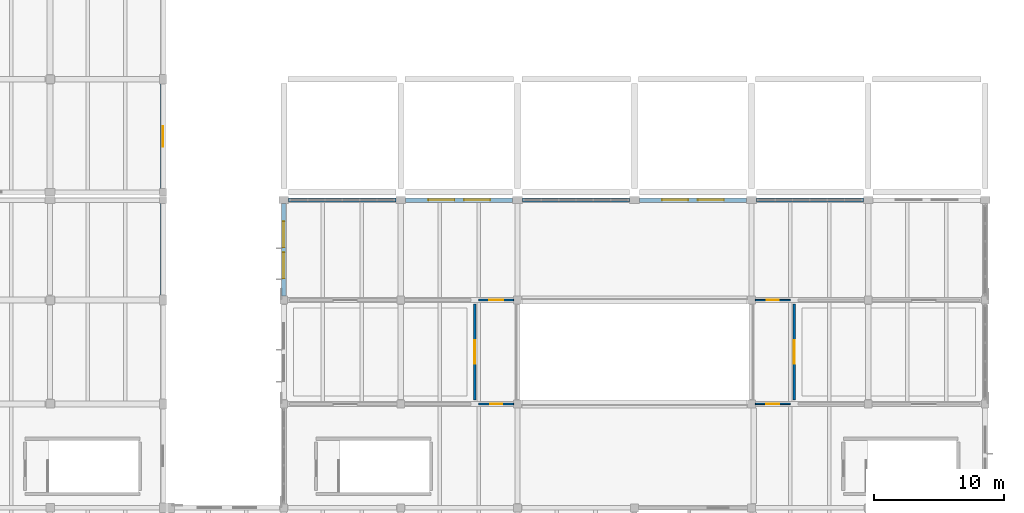
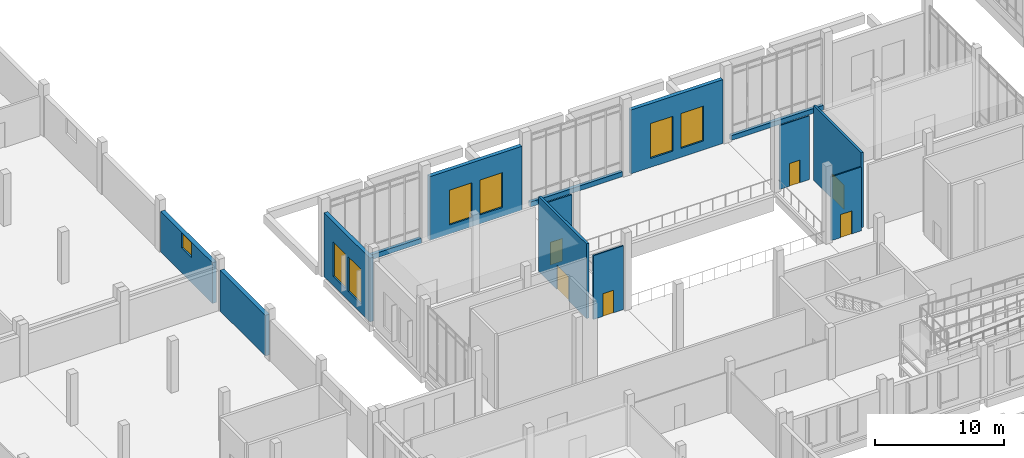
# One storey, part 79 of 110: 14 walls, 7 windows, 6 doors, 13 openings.
"""IFC4 building model written with IfcOpenShell, lengths in metres."""

from ifc_helpers import new_model, si_unit, direction, frame, frame_2d, origin, place, context, subcontext, project, spatial, rectangle, extrude, material, layer, layer_set, type_object, element, fill, save


model = new_model("IFC4")

# Units and contexts
model_context = context("Model", 3, precision=1e-05, world=origin(), true_north=direction((0.0, 1.0)))
body_context = subcontext(model_context, "Body", "Model", "MODEL_VIEW")
ifc_project = project(units=[si_unit("LENGTHUNIT", "METRE"), si_unit("AREAUNIT", "SQUARE_METRE"), si_unit("VOLUMEUNIT", "CUBIC_METRE"), si_unit("PLANEANGLEUNIT", "RADIAN"), si_unit("MASSUNIT", "GRAM", prefix="KILO")], contexts=[model_context])

# Site, building, storey
site_placement = place(None, origin())
site = spatial("IfcSite", under=ifc_project, at=site_placement, CompositionType="ELEMENT")
building_placement = place(site_placement, origin())
building = spatial("IfcBuilding", under=site, at=building_placement, Name="Zacnel Wholesale Market", CompositionType="ELEMENT")
storey_placement = place(building_placement, frame((0.0, 0.0, 6.300048828125)))
storey = spatial("IfcBuildingStorey", under=building, at=storey_placement, Name="L02", CompositionType="ELEMENT", Elevation=6.300048828125)

# Wall, opening, door
ifc_material_1 = material(Name="PIR insulated cold-store panel")
ifc_layer_1 = layer(ifc_material_1, 0.195068359375)
ifc_layer_set_1 = layer_set([ifc_layer_1], Name="PIR insulated cold-store panel")
wall_type_1 = type_object("IfcWallType", Name="WL-COLD-INT195", PredefinedType="STANDARD", material=ifc_layer_set_1)
wall_1_placement = place(storey_placement, frame((120.300048828125, 32.300048828125, 0.0), z_axis=(0.0, 0.0, 1.0), x_axis=(0.0, 1.0, 0.0)))
wall_1 = element("IfcWall", 1, at=wall_1_placement, inside=storey, type_object=wall_type_1, Name="Interior partition L02-0102", PredefinedType="STANDARD", context=body_context, shape_type="SweptSolid", body=[
    extrude(rectangle(XDim=7.39990234375, YDim=0.195068359375, at=frame_2d((3.699951171875, 0.0))), origin(), (0.0, 0.0, 1.0), 7.08984375),
])
opening_1_placement = place(wall_1_placement, frame((2.800048828125, 0.0, 0.0)))
opening_1 = element("IfcOpeningElement", 2, at=opening_1_placement, cuts=wall_1, Name="Opening FD-03", PredefinedType="OPENING", context=body_context, shape_type="SweptSolid", body=[
    extrude(rectangle(XDim=1.800048828125, YDim=2.300048828125, at=frame_2d((0.89990234375, 1.14990234375))), frame((0.0, 0.107421875, 0.0), z_axis=(0.0, -1.0, 0.0), x_axis=(1.0, 0.0, 0.0)), (0.0, 0.0, 1.0), 0.215087890625),
])
ifc_material_2 = material(Name="Galvanized steel", Category="steel")
door_type_1 = type_object("IfcDoorType", Name="DR-FIRE-COMP-1800", OperationType="NOTDEFINED", PredefinedType="DOOR", material=ifc_material_2)
door_1_placement = place(opening_1_placement, origin())
door_1 = element("IfcDoor", 3, at=door_1_placement, inside=storey, type_object=door_type_1, Name="Interior door L02-0082", OperationType="SINGLE_SWING_RIGHT", OverallHeight=2.300048828125, OverallWidth=1.800048828125, PredefinedType="DOOR", context=body_context, shape_type="SweptSolid", body=[
    extrude(rectangle(XDim=1.800048828125, YDim=2.300048828125, at=frame_2d((0.89990234375, 1.14990234375))), frame((0.0, 0.02490234375, 0.0), z_axis=(0.0, -1.0, 0.0), x_axis=(1.0, 0.0, 0.0)), (0.0, 0.0, 1.0), 0.050048828125),
])
fill(opening_1, door_1)

ifc_material_3 = material(Name="PIR insulated cold-store panel")
ifc_layer_2 = layer(ifc_material_3, 0.2099609375)
ifc_layer_set_2 = layer_set([ifc_layer_2], Name="PIR insulated cold-store panel")
wall_type_2 = type_object("IfcWallType", Name="WL-COLD-INT210", PredefinedType="STANDARD", material=ifc_layer_set_2)
wall_2_placement = place(storey_placement, frame((95.699951171875, 32.300048828125, 0.0), z_axis=(0.0, 0.0, 1.0), x_axis=(0.0, 1.0, 0.0)))
wall_2 = element("IfcWall", 4, at=wall_2_placement, inside=storey, type_object=wall_type_2, Name="Interior partition L02-0101", PredefinedType="STANDARD", context=body_context, shape_type="SweptSolid", body=[
    extrude(rectangle(XDim=7.39990234375, YDim=0.2099609375, at=frame_2d((3.699951171875, 0.0))), origin(), (0.0, 0.0, 1.0), 7.08984375),
])
opening_2_placement = place(wall_2_placement, frame((2.800048828125, 0.0, 0.0)))
opening_2 = element("IfcOpeningElement", 5, at=opening_2_placement, cuts=wall_2, Name="Opening FD-03", PredefinedType="OPENING", context=body_context, shape_type="SweptSolid", body=[
    extrude(rectangle(XDim=1.800048828125, YDim=2.300048828125, at=frame_2d((0.89990234375, 1.14990234375))), frame((0.0, 0.114990234375, 0.0), z_axis=(0.0, -1.0, 0.0), x_axis=(1.0, 0.0, 0.0)), (0.0, 0.0, 1.0), 0.22998046875),
])
door_2_placement = place(opening_2_placement, origin())
door_2 = element("IfcDoor", 6, at=door_2_placement, inside=storey, type_object=door_type_1, Name="Interior door L02-0081", OperationType="SINGLE_SWING_LEFT", OverallHeight=2.300048828125, OverallWidth=1.800048828125, PredefinedType="DOOR", context=body_context, shape_type="SweptSolid", body=[
    extrude(rectangle(XDim=1.800048828125, YDim=2.300048828125, at=frame_2d((0.89990234375, 1.14990234375))), frame((0.0, 0.02490234375, 0.0), z_axis=(0.0, -1.0, 0.0), x_axis=(1.0, 0.0, 0.0)), (0.0, 0.0, 1.0), 0.050048828125),
])
fill(opening_2, door_2)

# Wall
ifc_material_4 = material(Name="Precast concrete C40/50 (insulated sandwich panel)", Category="concrete")
ifc_layer_3 = layer(ifc_material_4, 0.3798828125)
ifc_layer_set_3 = layer_set([ifc_layer_3], Name="Precast concrete C40/50 (insulated sandwich panel)")
wall_type_3 = type_object("IfcWallType", Name="WL-EXT-COLD-380", PredefinedType="SOLIDWALL", material=ifc_layer_set_3)
wall_3_placement = place(storey_placement, frame((71.699951171875, 40.375, 0.0), z_axis=(0.0, 0.0, 1.0), x_axis=(0.0, 1.0, 0.0)))
element("IfcWall", 7, at=wall_3_placement, inside=storey, type_object=wall_type_3, Name="Exterior wall L02-0191", PredefinedType="SOLIDWALL", context=body_context, shape_type="SweptSolid", body=[
    extrude(rectangle(XDim=7.050048828125, YDim=0.3798828125, at=frame_2d((3.52490234375, 0.0))), origin(), (0.0, 0.0, 1.0), 3.849853515625),
])

# Wall, opening, window
wall_4_placement = place(storey_placement, frame((71.699951171875, 48.574951171875, 0.0), z_axis=(0.0, 0.0, 1.0), x_axis=(0.0, 1.0, 0.0)))
wall_4 = element("IfcWall", 8, at=wall_4_placement, inside=storey, type_object=wall_type_3, Name="Exterior wall L02-0209", PredefinedType="SOLIDWALL", context=body_context, shape_type="SweptSolid", body=[
    extrude(rectangle(XDim=8.050048828125, YDim=0.3798828125, at=frame_2d((4.02490234375, 0.0))), origin(), (0.0, 0.0, 1.0), 3.849853515625),
])
opening_3_placement = place(wall_4_placement, frame((3.22509765625, 0.0, 2.360107421875)))
opening_3 = element("IfcOpeningElement", 9, at=opening_3_placement, cuts=wall_4, Name="Opening W-06", PredefinedType="OPENING", context=body_context, shape_type="SweptSolid", body=[
    extrude(rectangle(XDim=1.60009765625, YDim=1.449951171875, at=frame_2d((0.800048828125, 0.72509765625))), frame((0.0, 0.199951171875, 0.0), z_axis=(0.0, -1.0, 0.0), x_axis=(1.0, 0.0, 0.0)), (0.0, 0.0, 1.0), 0.39990234375),
])
ifc_material_5 = material(Name="Laminated hurricane-impact low-E insulated glass", Category="glass")
window_type_1 = type_object("IfcWindowType", Name="WIN-HIG-1600X1450", PartitioningType="DOUBLE_PANEL_HORIZONTAL", PredefinedType="WINDOW", material=ifc_material_5)
window_1_placement = place(opening_3_placement, origin())
window_1 = element("IfcWindow", 10, at=window_1_placement, inside=storey, type_object=window_type_1, Name="Window L02-0198", OverallHeight=1.449951171875, OverallWidth=1.60009765625, PartitioningType="DOUBLE_PANEL_HORIZONTAL", PredefinedType="WINDOW", context=body_context, shape_type="SweptSolid", body=[
    extrude(rectangle(XDim=1.60009765625, YDim=1.449951171875, at=frame_2d((0.800048828125, 0.72509765625))), frame((0.0, 0.030029296875, 0.0), z_axis=(0.0, -1.0, 0.0), x_axis=(1.0, 0.0, 0.0)), (0.0, 0.0, 1.0), 0.06005859375),
])
fill(opening_3, window_1)

# Walls
ifc_material_6 = material(Name="Precast concrete C40/50 (Cancun limestone aggregate)", Category="masonry")
ifc_layer_4 = layer(ifc_material_6, 0.300048828125)
ifc_layer_set_4 = layer_set([ifc_layer_4], Name="Precast concrete C40/50 (Cancun limestone aggregate)")
wall_type_4 = type_object("IfcWallType", Name="WL-EXT-LIME-300", PredefinedType="SOLIDWALL", material=ifc_layer_set_4)
for number, where, z_axis, x_axis, name in (
    (11, (81.375, 47.699951171875, 0.0), (0.0, 0.0, 1.0), (1.0, 0.0, 0.0), "Curtain-wall limestone plinth L02-0010"),
    (12, (99.375, 47.699951171875, 0.0), (0.0, 0.0, 1.0), (1.0, 0.0, 0.0), "Curtain-wall limestone plinth L02-0011"),
    (13, (117.375, 47.699951171875, 0.0), (0.0, 0.0, 1.0), (1.0, 0.0, 0.0), "Curtain-wall limestone plinth L02-0012"),
):
    element("IfcWall", number, at=place(storey_placement, frame(where, z_axis=z_axis, x_axis=x_axis)), inside=storey, type_object=wall_type_4, Name=name, PredefinedType="SOLIDWALL", context=body_context, shape_type="SweptSolid", body=[
        extrude(rectangle(XDim=8.25, YDim=0.300048828125, at=frame_2d((4.125, 0.0))), origin(), (0.0, 0.0, 1.0), 0.449951171875),
    ])

# Wall, openings, windows
ifc_material_7 = material(Name="Precast concrete C40/50 (Cancun limestone aggregate)", Category="masonry")
ifc_layer_5 = layer(ifc_material_7, 0.340087890625)
ifc_layer_set_5 = layer_set([ifc_layer_5], Name="Precast concrete C40/50 (Cancun limestone aggregate)")
wall_type_5 = type_object("IfcWallType", Name="WL-EXT-LIME-340", PredefinedType="SOLIDWALL", material=ifc_layer_set_5)
wall_5_placement = place(storey_placement, frame((90.375, 47.699951171875, 0.0), z_axis=(0.0, 0.0, 1.0), x_axis=(1.0, 0.0, 0.0)))
wall_5 = element("IfcWall", 14, at=wall_5_placement, inside=storey, type_object=wall_type_5, Name="Exterior wall L02-0253", PredefinedType="SOLIDWALL", context=body_context, shape_type="SweptSolid", body=[
    extrude(rectangle(XDim=8.25, YDim=0.340087890625, at=frame_2d((4.125, 0.0))), origin(), (0.0, 0.0, 1.0), 6.0400390625),
])
opening_4_placement = place(wall_5_placement, frame((1.75, 0.0, 0.85009765625)))
opening_4 = element("IfcOpeningElement", 15, at=opening_4_placement, cuts=wall_5, Name="Opening W-02", PredefinedType="OPENING", context=body_context, shape_type="SweptSolid", body=[
    extrude(rectangle(XDim=2.0, YDim=3.300048828125, at=frame_2d((1.0, 1.64990234375))), frame((0.0, 0.179931640625, 0.0), z_axis=(0.0, -1.0, 0.0), x_axis=(1.0, 0.0, 0.0)), (0.0, 0.0, 1.0), 0.360107421875),
])
opening_5_placement = place(wall_5_placement, frame((4.5, 0.0, 0.85009765625)))
opening_5 = element("IfcOpeningElement", 16, at=opening_5_placement, cuts=wall_5, Name="Opening W-02", PredefinedType="OPENING", context=body_context, shape_type="SweptSolid", body=[
    extrude(rectangle(XDim=2.0, YDim=3.300048828125, at=frame_2d((1.0, 1.64990234375))), frame((0.0, 0.179931640625, 0.0), z_axis=(0.0, -1.0, 0.0), x_axis=(1.0, 0.0, 0.0)), (0.0, 0.0, 1.0), 0.360107421875),
])
ifc_material_8 = material(Name="Laminated hurricane-impact low-E insulated glass", Category="glass")
window_type_2 = type_object("IfcWindowType", Name="WIN-DEC-2000X3300", PartitioningType="DOUBLE_PANEL_VERTICAL", PredefinedType="WINDOW", material=ifc_material_8)
window_2_placement = place(opening_4_placement, origin())
window_2 = element("IfcWindow", 17, at=window_2_placement, inside=storey, type_object=window_type_2, Name="Window L02-0241", OverallHeight=3.300048828125, OverallWidth=2.0, PartitioningType="DOUBLE_PANEL_VERTICAL", PredefinedType="WINDOW", context=body_context, shape_type="SweptSolid", body=[
    extrude(rectangle(XDim=2.0, YDim=3.300048828125, at=frame_2d((1.0, 1.64990234375))), frame((0.0, 0.030029296875, 0.0), z_axis=(0.0, -1.0, 0.0), x_axis=(1.0, 0.0, 0.0)), (0.0, 0.0, 1.0), 0.06005859375),
])
fill(opening_4, window_2)
window_3_placement = place(opening_5_placement, origin())
window_3 = element("IfcWindow", 18, at=window_3_placement, inside=storey, type_object=window_type_2, Name="Window L02-0242", OverallHeight=3.300048828125, OverallWidth=2.0, PartitioningType="DOUBLE_PANEL_VERTICAL", PredefinedType="WINDOW", context=body_context, shape_type="SweptSolid", body=[
    extrude(rectangle(XDim=2.0, YDim=3.300048828125, at=frame_2d((1.0, 1.64990234375))), frame((0.0, 0.030029296875, 0.0), z_axis=(0.0, -1.0, 0.0), x_axis=(1.0, 0.0, 0.0)), (0.0, 0.0, 1.0), 0.06005859375),
])
fill(opening_5, window_3)

wall_6_placement = place(storey_placement, frame((108.375, 47.699951171875, 0.0), z_axis=(0.0, 0.0, 1.0), x_axis=(1.0, 0.0, 0.0)))
wall_6 = element("IfcWall", 19, at=wall_6_placement, inside=storey, type_object=wall_type_5, Name="Exterior wall L02-0254", PredefinedType="SOLIDWALL", context=body_context, shape_type="SweptSolid", body=[
    extrude(rectangle(XDim=8.25, YDim=0.340087890625, at=frame_2d((4.125, 0.0))), origin(), (0.0, 0.0, 1.0), 6.0400390625),
])
opening_6_placement = place(wall_6_placement, frame((1.75, 0.0, 0.85009765625)))
opening_6 = element("IfcOpeningElement", 20, at=opening_6_placement, cuts=wall_6, Name="Opening W-02", PredefinedType="OPENING", context=body_context, shape_type="SweptSolid", body=[
    extrude(rectangle(XDim=2.0, YDim=3.300048828125, at=frame_2d((1.0, 1.64990234375))), frame((0.0, 0.179931640625, 0.0), z_axis=(0.0, -1.0, 0.0), x_axis=(1.0, 0.0, 0.0)), (0.0, 0.0, 1.0), 0.360107421875),
])
opening_7_placement = place(wall_6_placement, frame((4.5, 0.0, 0.85009765625)))
opening_7 = element("IfcOpeningElement", 21, at=opening_7_placement, cuts=wall_6, Name="Opening W-02", PredefinedType="OPENING", context=body_context, shape_type="SweptSolid", body=[
    extrude(rectangle(XDim=2.0, YDim=3.300048828125, at=frame_2d((1.0, 1.64990234375))), frame((0.0, 0.179931640625, 0.0), z_axis=(0.0, -1.0, 0.0), x_axis=(1.0, 0.0, 0.0)), (0.0, 0.0, 1.0), 0.360107421875),
])
window_4_placement = place(opening_6_placement, origin())
window_4 = element("IfcWindow", 22, at=window_4_placement, inside=storey, type_object=window_type_2, Name="Window L02-0243", OverallHeight=3.300048828125, OverallWidth=2.0, PartitioningType="DOUBLE_PANEL_VERTICAL", PredefinedType="WINDOW", context=body_context, shape_type="SweptSolid", body=[
    extrude(rectangle(XDim=2.0, YDim=3.300048828125, at=frame_2d((1.0, 1.64990234375))), frame((0.0, 0.030029296875, 0.0), z_axis=(0.0, -1.0, 0.0), x_axis=(1.0, 0.0, 0.0)), (0.0, 0.0, 1.0), 0.06005859375),
])
fill(opening_6, window_4)
window_5_placement = place(opening_7_placement, origin())
window_5 = element("IfcWindow", 23, at=window_5_placement, inside=storey, type_object=window_type_2, Name="Window L02-0244", OverallHeight=3.300048828125, OverallWidth=2.0, PartitioningType="DOUBLE_PANEL_VERTICAL", PredefinedType="WINDOW", context=body_context, shape_type="SweptSolid", body=[
    extrude(rectangle(XDim=2.0, YDim=3.300048828125, at=frame_2d((1.0, 1.64990234375))), frame((0.0, 0.030029296875, 0.0), z_axis=(0.0, -1.0, 0.0), x_axis=(1.0, 0.0, 0.0)), (0.0, 0.0, 1.0), 0.06005859375),
])
fill(opening_7, window_5)

wall_7_placement = place(storey_placement, frame((81.0, 40.300048828125, 0.0), z_axis=(0.0, 0.0, 1.0), x_axis=(0.0, 1.0, 0.0)))
wall_7 = element("IfcWall", 24, at=wall_7_placement, inside=storey, type_object=wall_type_5, Name="Exterior wall L02-0257", PredefinedType="SOLIDWALL", context=body_context, shape_type="SweptSolid", body=[
    extrude(rectangle(XDim=7.125, YDim=0.340087890625, at=frame_2d((3.5625, 0.0))), origin(), (0.0, 0.0, 1.0), 6.0400390625),
])
opening_8_placement = place(wall_7_placement, frame((1.375, 0.0, 0.85009765625)))
opening_8 = element("IfcOpeningElement", 25, at=opening_8_placement, cuts=wall_7, Name="Opening W-02", PredefinedType="OPENING", context=body_context, shape_type="SweptSolid", body=[
    extrude(rectangle(XDim=2.0, YDim=3.300048828125, at=frame_2d((1.0, 1.64990234375))), frame((0.0, 0.179931640625, 0.0), z_axis=(0.0, -1.0, 0.0), x_axis=(1.0, 0.0, 0.0)), (0.0, 0.0, 1.0), 0.360107421875),
])
opening_9_placement = place(wall_7_placement, frame((3.75, 0.0, 0.85009765625)))
opening_9 = element("IfcOpeningElement", 26, at=opening_9_placement, cuts=wall_7, Name="Opening W-02", PredefinedType="OPENING", context=body_context, shape_type="SweptSolid", body=[
    extrude(rectangle(XDim=2.0, YDim=3.300048828125, at=frame_2d((1.0, 1.64990234375))), frame((0.0, 0.179931640625, 0.0), z_axis=(0.0, -1.0, 0.0), x_axis=(1.0, 0.0, 0.0)), (0.0, 0.0, 1.0), 0.360107421875),
])
window_6_placement = place(opening_8_placement, origin())
window_6 = element("IfcWindow", 27, at=window_6_placement, inside=storey, type_object=window_type_2, Name="Window L02-0249", OverallHeight=3.300048828125, OverallWidth=2.0, PartitioningType="DOUBLE_PANEL_VERTICAL", PredefinedType="WINDOW", context=body_context, shape_type="SweptSolid", body=[
    extrude(rectangle(XDim=2.0, YDim=3.300048828125, at=frame_2d((1.0, 1.64990234375))), frame((0.0, 0.030029296875, 0.0), z_axis=(0.0, -1.0, 0.0), x_axis=(1.0, 0.0, 0.0)), (0.0, 0.0, 1.0), 0.06005859375),
])
fill(opening_8, window_6)
window_7_placement = place(opening_9_placement, origin())
window_7 = element("IfcWindow", 28, at=window_7_placement, inside=storey, type_object=window_type_2, Name="Window L02-0250", OverallHeight=3.300048828125, OverallWidth=2.0, PartitioningType="DOUBLE_PANEL_VERTICAL", PredefinedType="WINDOW", context=body_context, shape_type="SweptSolid", body=[
    extrude(rectangle(XDim=2.0, YDim=3.300048828125, at=frame_2d((1.0, 1.64990234375))), frame((0.0, 0.030029296875, 0.0), z_axis=(0.0, -1.0, 0.0), x_axis=(1.0, 0.0, 0.0)), (0.0, 0.0, 1.0), 0.06005859375),
])
fill(opening_9, window_7)

# Wall, opening, door
ifc_material_9 = material(Name="Moisture-resistant gypsum board partition")
ifc_layer_6 = layer(ifc_material_9, 0.110107421875)
ifc_layer_set_6 = layer_set([ifc_layer_6], Name="Moisture-resistant gypsum board partition")
wall_type_6 = type_object("IfcWallType", Name="WL-PART-GYP110", PredefinedType="PARTITIONING", material=ifc_layer_set_6)
wall_8_placement = place(storey_placement, frame((117.300048828125, 32.0, 0.0), z_axis=(0.0, 0.0, 1.0), x_axis=(1.0, 0.0, 0.0)))
wall_8 = element("IfcWall", 29, at=wall_8_placement, inside=storey, type_object=wall_type_6, Name="Interior partition L02-0095", PredefinedType="PARTITIONING", context=body_context, shape_type="SweptSolid", body=[
    extrude(rectangle(XDim=2.699951171875, YDim=0.110107421875, at=frame_2d((1.35009765625, 0.0))), origin(), (0.0, 0.0, 1.0), 6.0400390625),
])
opening_10_placement = place(wall_8_placement, frame((0.840087890625, 0.0, 0.0)))
opening_10 = element("IfcOpeningElement", 30, at=opening_10_placement, cuts=wall_8, Name="Opening ID-12", PredefinedType="OPENING", context=body_context, shape_type="SweptSolid", body=[
    extrude(rectangle(XDim=1.02001953125, YDim=2.179931640625, at=frame_2d((0.510009765625, 1.08984375))), frame((0.0, 0.06494140625, 0.0), z_axis=(0.0, -1.0, 0.0), x_axis=(1.0, 0.0, 0.0)), (0.0, 0.0, 1.0), 0.130126953125),
])
ifc_material_10 = material(Name="Solid-core tropical hardwood door", Category="wood")
door_type_2 = type_object("IfcDoorType", Name="DR-OFF-SGL-1020", OperationType="NOTDEFINED", PredefinedType="DOOR", material=ifc_material_10)
door_3_placement = place(opening_10_placement, origin())
door_3 = element("IfcDoor", 31, at=door_3_placement, inside=storey, type_object=door_type_2, Name="Interior door L02-0075", OperationType="SINGLE_SWING_LEFT", OverallHeight=2.179931640625, OverallWidth=1.02001953125, PredefinedType="DOOR", context=body_context, shape_type="SweptSolid", body=[
    extrude(rectangle(XDim=1.02001953125, YDim=2.179931640625, at=frame_2d((0.510009765625, 1.08984375))), frame((0.0, 0.02490234375, 0.0), z_axis=(0.0, -1.0, 0.0), x_axis=(1.0, 0.0, 0.0)), (0.0, 0.0, 1.0), 0.050048828125),
])
fill(opening_10, door_3)

wall_9_placement = place(storey_placement, frame((117.300048828125, 40.0, 0.0), z_axis=(0.0, 0.0, 1.0), x_axis=(1.0, 0.0, 0.0)))
wall_9 = element("IfcWall", 32, at=wall_9_placement, inside=storey, type_object=wall_type_6, Name="Interior partition L02-0099", PredefinedType="PARTITIONING", context=body_context, shape_type="SweptSolid", body=[
    extrude(rectangle(XDim=2.699951171875, YDim=0.110107421875, at=frame_2d((1.35009765625, 0.0))), origin(), (0.0, 0.0, 1.0), 6.0400390625),
])
opening_11_placement = place(wall_9_placement, frame((0.8798828125, 0.0, 0.0)))
opening_11 = element("IfcOpeningElement", 33, at=opening_11_placement, cuts=wall_9, Name="Opening ID-11", PredefinedType="OPENING", context=body_context, shape_type="SweptSolid", body=[
    extrude(rectangle(XDim=0.93994140625, YDim=2.139892578125, at=frame_2d((0.469970703125, 1.06982421875))), frame((0.0, 0.06494140625, 0.0), z_axis=(0.0, -1.0, 0.0), x_axis=(1.0, 0.0, 0.0)), (0.0, 0.0, 1.0), 0.130126953125),
])
ifc_material_11 = material(Name="Solid-core tropical hardwood door", Category="wood")
door_type_3 = type_object("IfcDoorType", Name="DR-OFF-SGL-940", OperationType="NOTDEFINED", PredefinedType="DOOR", material=ifc_material_11)
door_4_placement = place(opening_11_placement, origin())
door_4 = element("IfcDoor", 34, at=door_4_placement, inside=storey, type_object=door_type_3, Name="Interior door L02-0079", OperationType="SINGLE_SWING_LEFT", OverallHeight=2.139892578125, OverallWidth=0.93994140625, PredefinedType="DOOR", context=body_context, shape_type="SweptSolid", body=[
    extrude(rectangle(XDim=0.93994140625, YDim=2.139892578125, at=frame_2d((0.469970703125, 1.06982421875))), frame((0.0, 0.02490234375, 0.0), z_axis=(0.0, -1.0, 0.0), x_axis=(1.0, 0.0, 0.0)), (0.0, 0.0, 1.0), 0.050048828125),
])
fill(opening_11, door_4)

ifc_material_12 = material(Name="Moisture-resistant gypsum board partition")
ifc_layer_7 = layer(ifc_material_12, 0.125)
ifc_layer_set_7 = layer_set([ifc_layer_7], Name="Moisture-resistant gypsum board partition")
wall_type_7 = type_object("IfcWallType", Name="WL-PART-GYP125", PredefinedType="PARTITIONING", material=ifc_layer_set_7)
wall_10_placement = place(storey_placement, frame((96.0, 32.0, 0.0), z_axis=(0.0, 0.0, 1.0), x_axis=(1.0, 0.0, 0.0)))
wall_10 = element("IfcWall", 35, at=wall_10_placement, inside=storey, type_object=wall_type_7, Name="Interior partition L02-0094", PredefinedType="PARTITIONING", context=body_context, shape_type="SweptSolid", body=[
    extrude(rectangle(XDim=2.699951171875, YDim=0.125, at=frame_2d((1.35009765625, 0.0))), origin(), (0.0, 0.0, 1.0), 6.0400390625),
])
opening_12_placement = place(wall_10_placement, frame((0.8798828125, 0.0, 0.0)))
opening_12 = element("IfcOpeningElement", 36, at=opening_12_placement, cuts=wall_10, Name="Opening ID-11", PredefinedType="OPENING", context=body_context, shape_type="SweptSolid", body=[
    extrude(rectangle(XDim=0.93994140625, YDim=2.139892578125, at=frame_2d((0.469970703125, 1.06982421875))), frame((0.0, 0.072509765625, 0.0), z_axis=(0.0, -1.0, 0.0), x_axis=(1.0, 0.0, 0.0)), (0.0, 0.0, 1.0), 0.14501953125),
])
door_5_placement = place(opening_12_placement, origin())
door_5 = element("IfcDoor", 37, at=door_5_placement, inside=storey, type_object=door_type_3, Name="Interior door L02-0074", OperationType="SINGLE_SWING_RIGHT", OverallHeight=2.139892578125, OverallWidth=0.93994140625, PredefinedType="DOOR", context=body_context, shape_type="SweptSolid", body=[
    extrude(rectangle(XDim=0.93994140625, YDim=2.139892578125, at=frame_2d((0.469970703125, 1.06982421875))), frame((0.0, 0.02490234375, 0.0), z_axis=(0.0, -1.0, 0.0), x_axis=(1.0, 0.0, 0.0)), (0.0, 0.0, 1.0), 0.050048828125),
])
fill(opening_12, door_5)

wall_11_placement = place(storey_placement, frame((96.0, 40.0, 0.0), z_axis=(0.0, 0.0, 1.0), x_axis=(1.0, 0.0, 0.0)))
wall_11 = element("IfcWall", 38, at=wall_11_placement, inside=storey, type_object=wall_type_7, Name="Interior partition L02-0098", PredefinedType="PARTITIONING", context=body_context, shape_type="SweptSolid", body=[
    extrude(rectangle(XDim=2.699951171875, YDim=0.125, at=frame_2d((1.35009765625, 0.0))), origin(), (0.0, 0.0, 1.0), 6.0400390625),
])
opening_13_placement = place(wall_11_placement, frame((0.81005859375, 0.0, 0.0)))
opening_13 = element("IfcOpeningElement", 39, at=opening_13_placement, cuts=wall_11, Name="Opening ID-10", PredefinedType="OPENING", context=body_context, shape_type="SweptSolid", body=[
    extrude(rectangle(XDim=1.080078125, YDim=2.14990234375, at=frame_2d((0.5400390625, 1.074951171875))), frame((0.0, 0.072509765625, 0.0), z_axis=(0.0, -1.0, 0.0), x_axis=(1.0, 0.0, 0.0)), (0.0, 0.0, 1.0), 0.14501953125),
])
ifc_material_13 = material(Name="Galvanized steel", Category="steel")
door_type_4 = type_object("IfcDoorType", Name="DR-STR-SGL-1080", OperationType="NOTDEFINED", PredefinedType="DOOR", material=ifc_material_13)
door_6_placement = place(opening_13_placement, origin())
door_6 = element("IfcDoor", 40, at=door_6_placement, inside=storey, type_object=door_type_4, Name="Interior door L02-0078", OperationType="SINGLE_SWING_RIGHT", OverallHeight=2.14990234375, OverallWidth=1.080078125, PredefinedType="DOOR", context=body_context, shape_type="SweptSolid", body=[
    extrude(rectangle(XDim=1.080078125, YDim=2.14990234375, at=frame_2d((0.5400390625, 1.074951171875))), frame((0.0, 0.02490234375, 0.0), z_axis=(0.0, -1.0, 0.0), x_axis=(1.0, 0.0, 0.0)), (0.0, 0.0, 1.0), 0.050048828125),
])
fill(opening_13, door_6)

save(model, "model.ifc")
